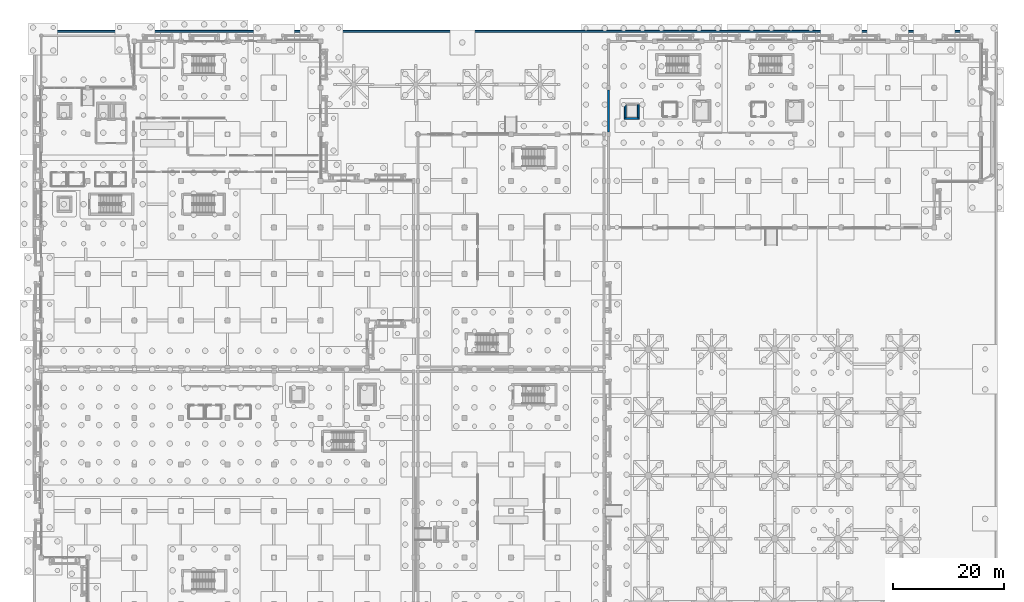
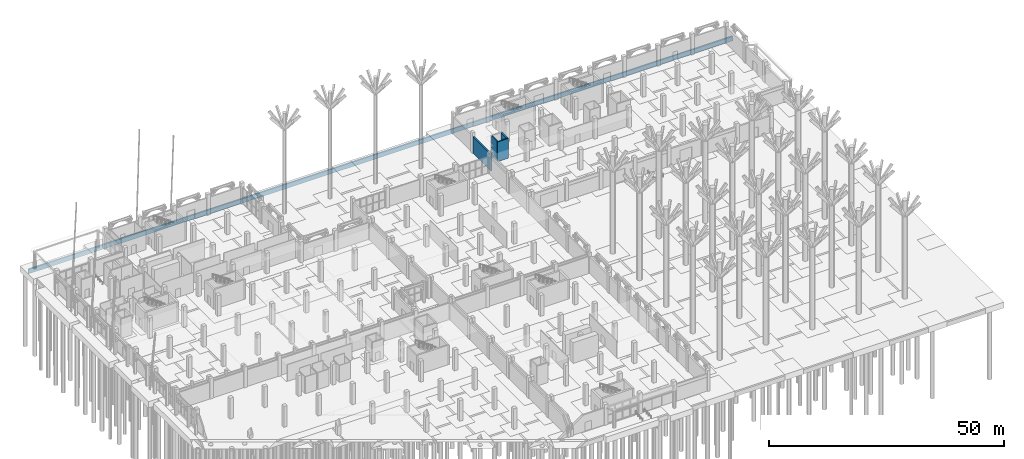
# One storey, part 70 of 98: 5 walls.
"""IFC4 building model written with IfcOpenShell, lengths in metres."""

from ifc_helpers import new_model, si_unit, direction, frame, frame_2d, origin, place, context, subcontext, project, spatial, rectangle, extrude, material, layer, layer_set, type_object, element, save


model = new_model("IFC4")

# Units and contexts
model_context = context("Model", 3, precision=1e-05, world=origin(), true_north=direction((0.0, 1.0)))
body_context = subcontext(model_context, "Body", "Model", "MODEL_VIEW")
ifc_project = project(units=[si_unit("LENGTHUNIT", "METRE"), si_unit("AREAUNIT", "SQUARE_METRE"), si_unit("VOLUMEUNIT", "CUBIC_METRE"), si_unit("PLANEANGLEUNIT", "RADIAN"), si_unit("MASSUNIT", "GRAM", prefix="KILO")], contexts=[model_context])

# Site, building, storey
site_placement = place(None, origin())
site = spatial("IfcSite", under=ifc_project, at=site_placement, CompositionType="ELEMENT")
building_placement = place(site_placement, origin())
building = spatial("IfcBuilding", under=site, at=building_placement, Name="Xazarin Passage Department Store", CompositionType="ELEMENT")
storey_placement = place(building_placement, origin())
storey = spatial("IfcBuildingStorey", under=building, at=storey_placement, Name="L00", CompositionType="ELEMENT", Elevation=0.0)

# Walls
ifc_material_1 = material(Name="Buff Baku clay brick", Category="masonry")
ifc_layer_1 = layer(ifc_material_1, 0.320068359375)
ifc_layer_set_1 = layer_set([ifc_layer_1], Name="Buff Baku clay brick")
wall_type_1 = type_object("IfcWallType", Name="ARC-W-EXT320", PredefinedType="SOLIDWALL", material=ifc_layer_set_1)
wall_1_placement = place(storey_placement, frame((102.39990234375, 93.625, 0.0), z_axis=(0.0, 0.0, 1.0), x_axis=(0.0, 1.0, 0.0)))
element("IfcWall", 1, at=wall_1_placement, inside=storey, type_object=wall_type_1, Name="L00 V4 Exterior Wall 265", PredefinedType="SOLIDWALL", context=body_context, shape_type="SweptSolid", body=[
    extrude(rectangle(XDim=7.550048828125, YDim=0.320068359375, at=frame_2d((3.77490234375, 0.0))), origin(), (0.0, 0.0, 1.0), 4.35009765625),
])
ifc_material_2 = material(Name="Absheron limestone cladding", Category="masonry")
ifc_layer_2 = layer(ifc_material_2, 0.360107421875)
ifc_layer_set_2 = layer_set([ifc_layer_2], Name="Absheron limestone cladding")
wall_type_2 = type_object("IfcWallType", Name="ARC-W-EXT360", PredefinedType="SOLIDWALL", material=ifc_layer_set_2)
wall_2_placement = place(storey_placement, frame((172.199951171875, 111.820068359375, -1.5), z_axis=(0.0, 0.0, 1.0), x_axis=(-1.0, 0.0, 0.0)))
element("IfcWall", 2, at=wall_2_placement, inside=storey, type_object=wall_type_2, Name="L00 Civic Plaza Limestone Plinth Skirt 3", PredefinedType="SOLIDWALL", context=body_context, shape_type="SweptSolid", body=[
    extrude(rectangle(XDim=173.300048828125, YDim=0.360107421875, at=frame_2d((86.64990234375, 0.0))), origin(), (0.0, 0.0, 1.0), 1.14990234375),
])
ifc_material_3 = material(Name="Concrete C40/50", Category="concrete")
ifc_layer_3 = layer(ifc_material_3, 0.31005859375)
ifc_layer_set_3 = layer_set([ifc_layer_3], Name="Concrete C40/50")
wall_type_3 = type_object("IfcWallType", Name="STR-W-LFT310", PredefinedType="SHEAR", material=ifc_layer_set_3)
wall_3_placement = place(storey_placement, frame((105.27001953125, 96.074951171875, 0.0), z_axis=(0.0, 0.0, 1.0), x_axis=(1.0, 0.0, 0.0)))
element("IfcWall", 3, at=wall_3_placement, inside=storey, type_object=wall_type_3, Name="L00 Lift PL5 Shaft Wall South", PredefinedType="SHEAR", context=body_context, shape_type="SweptSolid", body=[
    extrude(rectangle(XDim=2.659912109375, YDim=0.31005859375, at=frame_2d((1.330078125, 0.0))), origin(), (0.0, 0.0, 1.0), 5.10009765625),
])
for number, where, z_axis, x_axis, name in (
    (4, (105.425048828125, 96.22998046875, 0.0), (0.0, 0.0, 1.0), (0.0, 1.0, 0.0), "L00 Lift PL5 Shaft Wall West"),
    (5, (107.77490234375, 96.22998046875, 0.0), (0.0, 0.0, 1.0), (0.0, 1.0, 0.0), "L00 Lift PL5 Shaft Wall East"),
):
    element("IfcWall", number, at=place(storey_placement, frame(where, z_axis=z_axis, x_axis=x_axis)), inside=storey, type_object=wall_type_3, Name=name, PredefinedType="SHEAR", context=body_context, shape_type="SweptSolid", body=[
        extrude(rectangle(XDim=2.340087890625, YDim=0.31005859375, at=frame_2d((1.169921875, 0.0))), origin(), (0.0, 0.0, 1.0), 5.10009765625),
    ])

save(model, "model.ifc")
